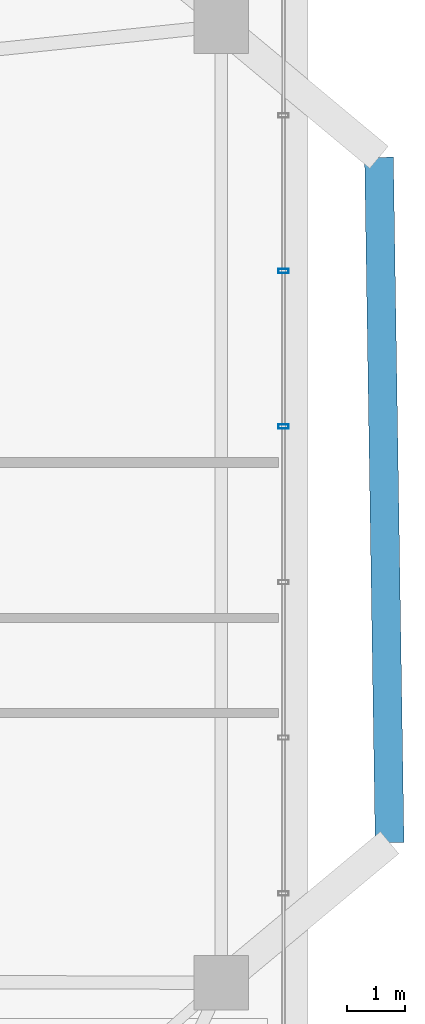
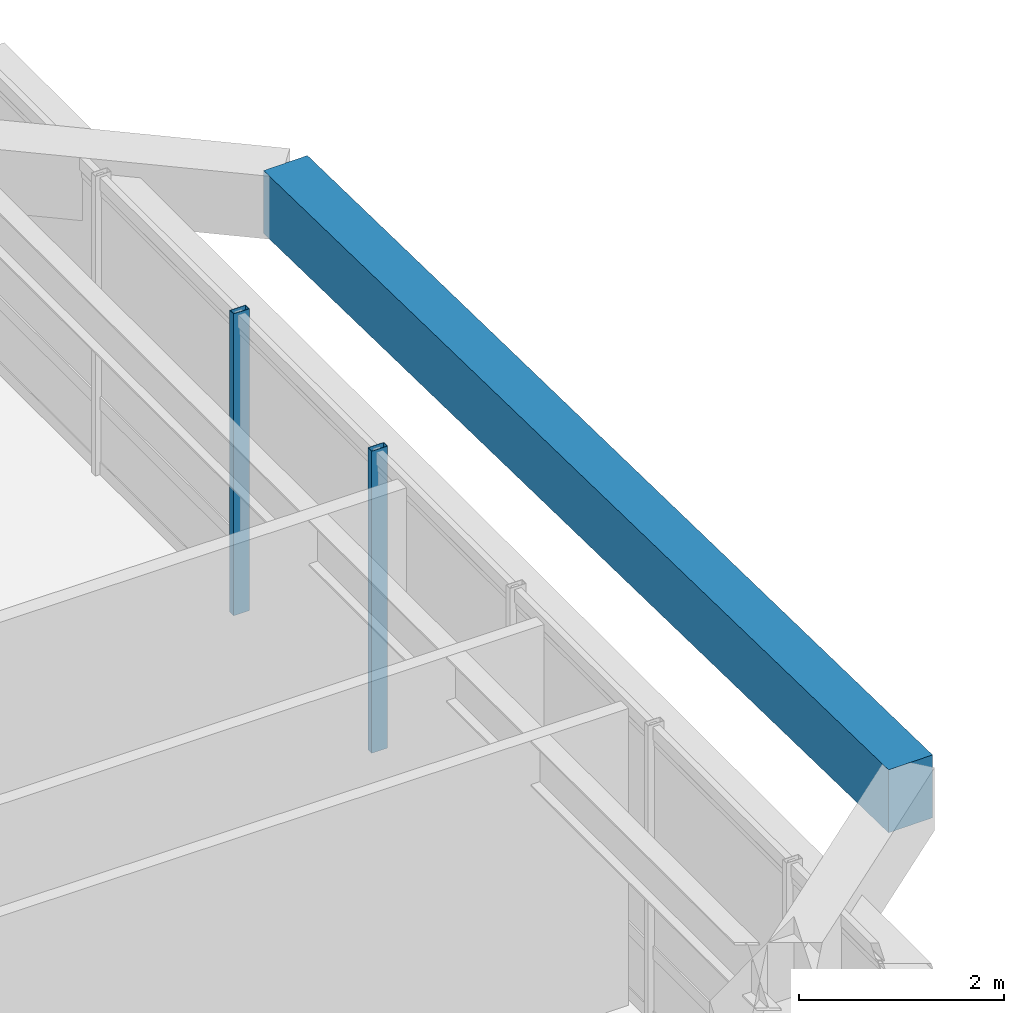
# One storey, part 4 of 14: 2 members, 1 beam, 1 element without a shape of its own.
"""IFC4 building model written with IfcOpenShell, lengths in metres."""

import ifcopenshell
import ifcopenshell.guid

model = None  # the IFC model being written
_history = None  # IfcOwnerHistory: only IFC2X3 demands one
_inside = {}  # id of a spatial element -> (the spatial element, [elements in it])
_under = {}  # id of a project, library or spatial element -> (it, [spatial elements below it])
_declared = {}  # id of a project -> (the project, [libraries it declares])
_typed = {}  # id of a type object -> (the type object, [elements of that type])
_made_of = {}  # id of a material, layer set ... -> (it, [elements and type objects made of it])


def new_model(schema):
    """Start an empty IFC model of exactly this schema.

    Asked for "IFC4X3", IfcOpenShell would pick the latest addendum, in which some entities
    have other attributes; the version numbers below select the first issue.
    IFC2X3 requires an IfcOwnerHistory on every rooted entity: one is made here for all.
    """
    global model, _history
    if schema == "IFC4X3":
        model = ifcopenshell.file(schema_version=(4, 3, 0, 0))
    else:
        model = ifcopenshell.file(schema=schema)
    _inside.clear()
    _under.clear()
    _declared.clear()
    _typed.clear()
    _made_of.clear()
    _history = None
    if model.schema == "IFC2X3":
        org = make("IfcOrganization", Name="unknown")
        user = make(
            "IfcPersonAndOrganization",
            ThePerson=make("IfcPerson", FamilyName="unknown"),
            TheOrganization=org,
        )
        app = make(
            "IfcApplication",
            ApplicationDeveloper=org,
            Version="unknown",
            ApplicationFullName="unknown",
            ApplicationIdentifier="unknown",
        )
        _history = make(
            "IfcOwnerHistory",
            OwningUser=user,
            OwningApplication=app,
            ChangeAction="ADDED",
            CreationDate=0,
        )
    return model


def make(cls, **values):
    """One entity of the class cls with the attributes given. An attribute that is None is left unset."""
    return model.create_entity(
        cls, **{name: value for name, value in values.items() if value is not None}
    )


def rooted(cls, **values):
    """An entity with a GlobalId (a new one), such as an element, a storey or a relation."""
    return make(cls, GlobalId=ifcopenshell.guid.new(), OwnerHistory=_history, **values)


def si_unit(unit_type, name, prefix=None):
    """IfcSIUnit, for example si_unit("LENGTHUNIT", "METRE", prefix="MILLI")."""
    return make("IfcSIUnit", UnitType=unit_type, Prefix=prefix, Name=name)


def assignment(units):
    """IfcUnitAssignment: the units of a project."""
    return None if units is None else make("IfcUnitAssignment", Units=units)


def point(xyz):
    """IfcCartesianPoint."""
    return None if xyz is None else make("IfcCartesianPoint", Coordinates=xyz)


def direction(xyz):
    """IfcDirection."""
    return None if xyz is None else make("IfcDirection", DirectionRatios=xyz)


def frame(location, z_axis=None, x_axis=None):
    """IfcAxis2Placement3D, a coordinate frame: its origin and axes. An axis left out is left unset."""
    return make(
        "IfcAxis2Placement3D",
        Location=point(location),
        Axis=direction(z_axis),
        RefDirection=direction(x_axis),
    )


def frame_2d(location, x_axis=None):
    """IfcAxis2Placement2D, a coordinate frame in the plane: its origin and x axis."""
    return make(
        "IfcAxis2Placement2D", Location=point(location), RefDirection=direction(x_axis)
    )


def origin():
    """The frame at (0, 0, 0) with its axes left unset."""
    return frame((0.0, 0.0, 0.0))


def origin_2d():
    """The frame at (0, 0) in the plane with its x axis left unset."""
    return frame_2d((0.0, 0.0))


def place(relative_to, where):
    """IfcLocalPlacement: puts the frame where relative to a parent placement (None: the world)."""
    return make(
        "IfcLocalPlacement", PlacementRelTo=relative_to, RelativePlacement=where
    )


def context(
    kind, dimensions, precision=None, world=None, true_north=None, identifier=None
):
    """IfcGeometricRepresentationContext, for example the 3D "Model" context."""
    return make(
        "IfcGeometricRepresentationContext",
        ContextIdentifier=identifier,
        ContextType=kind,
        CoordinateSpaceDimension=dimensions,
        Precision=precision,
        WorldCoordinateSystem=world,
        TrueNorth=true_north,
    )


def subcontext(parent, identifier, kind, view, scale=None):
    """IfcGeometricRepresentationSubContext, for example "Body" below "Model"."""
    return make(
        "IfcGeometricRepresentationSubContext",
        ContextIdentifier=identifier,
        ContextType=kind,
        ParentContext=parent,
        TargetScale=scale,
        TargetView=view,
    )


def project(units=None, contexts=None):
    """IfcProject with its units and contexts."""
    return rooted(
        "IfcProject",
        Name="project",
        RepresentationContexts=contexts,
        UnitsInContext=assignment(units),
    )


def spatial(cls, under=None, at=None, **own):
    """A site, building, storey or space (cls), placed at a placement, below another one or the project."""
    s = rooted(cls, ObjectPlacement=at, **own)
    if under is not None:
        _under.setdefault(under.id(), (under, []))[1].append(s)
    return s


def profile(cls, at=None, kind="AREA", **sizes):
    """A parametric profile (cls). Its sizes go by their IFC names, for example OverallWidth=200.0."""
    return make(cls, ProfileType=kind, Position=at, **sizes)


def rectangle(**sizes):
    """IfcRectangleProfileDef."""
    return profile("IfcRectangleProfileDef", **sizes)


def hollow_rectangle(**sizes):
    """IfcRectangleHollowProfileDef."""
    return profile("IfcRectangleHollowProfileDef", **sizes)


def extrude(swept, where, along, depth):
    """IfcExtrudedAreaSolid: the profile swept, set in the frame where, extruded along a direction by depth."""
    return make(
        "IfcExtrudedAreaSolid",
        SweptArea=swept,
        Position=where,
        ExtrudedDirection=direction(along),
        Depth=depth,
    )


def shape(context_of_items, identifier, shape_type, items):
    """IfcShapeRepresentation: the items that make up one representation, for example the "Body"."""
    return make(
        "IfcShapeRepresentation",
        ContextOfItems=context_of_items,
        RepresentationIdentifier=identifier,
        RepresentationType=shape_type,
        Items=items,
    )


def material(Name=None, Category=None):
    """IfcMaterial."""
    return make("IfcMaterial", Name=Name, Category=Category)


def material_profile(
    of_material, cross_section, Name=None, Category=None, Priority=None
):
    """IfcMaterialProfile: a cross section and its material."""
    return make(
        "IfcMaterialProfile",
        Name=Name,
        Material=of_material,
        Profile=cross_section,
        Priority=Priority,
        Category=Category,
    )


def profile_set(profiles, Name=None, composite=None):
    """IfcMaterialProfileSet."""
    return make(
        "IfcMaterialProfileSet",
        Name=Name,
        MaterialProfiles=profiles,
        CompositeProfile=composite,
    )


def made_of(thing, what):
    """Note that an element or type object is made of a material, layer set ...; save() writes the relation."""
    if what is not None:
        _made_of.setdefault(what.id(), (what, []))[1].append(thing)
    return thing


def type_object(cls, material=None, **own):
    """A type object (cls), such as IfcWallType, which elements share."""
    return made_of(rooted(cls, **own), material)


def element(
    cls,
    number,
    at=None,
    inside=None,
    cuts=None,
    type_object=None,
    material=None,
    context=None,
    identifier="Body",
    shape_type=None,
    held_by="IfcProductDefinitionShape",
    body=None,
    shapes=None,
    **own,
):
    """One element of the class cls, such as IfcWall. Its Tag is "e" and its number.

    at: its placement. inside: the storey or other place that contains it. cuts: it is an
    opening in that element (IfcRelVoidsElement). A single representation is given by context,
    identifier, shape_type and body (its items); several are given by shapes. held_by: the class
    of the entity that holds the representations. save() writes the other relations.
    """
    e = rooted(cls, Tag="e%d" % number, ObjectPlacement=at, **own)
    if body is not None:
        shapes = [shape(context, identifier, shape_type, body)]
    if shapes is not None:
        e.Representation = make(held_by, Representations=shapes)
    if inside is not None:
        _inside.setdefault(inside.id(), (inside, []))[1].append(e)
    if cuts is not None:
        rooted(
            "IfcRelVoidsElement", RelatingBuildingElement=cuts, RelatedOpeningElement=e
        )
    if type_object is not None:
        _typed.setdefault(type_object.id(), (type_object, []))[1].append(e)
    return made_of(e, material)


def aggregate(whole, parts):
    """IfcRelAggregates: a whole, such as a stair, and the parts it consists of."""
    return rooted("IfcRelAggregates", RelatingObject=whole, RelatedObjects=parts)


def save(model, path):
    """Write the relations noted so far, then the file.

    IfcRelAggregates (storeys below a building ...), IfcRelContainedInSpatialStructure (elements
    in a storey), IfcRelDefinesByType, IfcRelAssociatesMaterial and IfcRelDeclares: one each for
    every whole, place, type object, material and project.
    """
    for whole, parts in _under.values():
        aggregate(whole, parts)
    for where, things in _inside.values():
        rooted(
            "IfcRelContainedInSpatialStructure",
            RelatedElements=things,
            RelatingStructure=where,
        )
    for kind, things in _typed.values():
        rooted("IfcRelDefinesByType", RelatedObjects=things, RelatingType=kind)
    for what, things in _made_of.values():
        rooted("IfcRelAssociatesMaterial", RelatedObjects=things, RelatingMaterial=what)
    for by, libraries in _declared.values():
        rooted("IfcRelDeclares", RelatingContext=by, RelatedDefinitions=libraries)
    model.write(path)


model = new_model("IFC4")

# Units and contexts
model_context = context("Model", 3, precision=1e-05, world=origin(), true_north=direction((0.0, 1.0)))
body_context = subcontext(model_context, "Body", "Model", "MODEL_VIEW")
ifc_project = project(units=[si_unit("LENGTHUNIT", "METRE"), si_unit("AREAUNIT", "SQUARE_METRE"), si_unit("VOLUMEUNIT", "CUBIC_METRE"), si_unit("PLANEANGLEUNIT", "RADIAN"), si_unit("MASSUNIT", "GRAM", prefix="KILO")], contexts=[model_context])

# Site, building, storey
site_placement = place(None, origin())
site = spatial("IfcSite", under=ifc_project, at=site_placement, CompositionType="ELEMENT")
building_placement = place(site_placement, origin())
building = spatial("IfcBuilding", under=site, at=building_placement, Name="Zulverin Broadcast Headquarters", CompositionType="ELEMENT")
storey_placement = place(building_placement, frame((0.0, 0.0, 178.199951171875)))
storey = spatial("IfcBuildingStorey", under=building, at=storey_placement, Name="L45", CompositionType="ELEMENT", Elevation=178.199951171875)

# Beam
ifc_material_1 = material(Name="Concrete C40/50", Category="concrete")
ifc_material_profile_1 = material_profile(ifc_material_1, rectangle(XDim=0.5, YDim=0.75, at=origin_2d()), Name="Concrete C40/50", Category="concrete")
ifc_profile_set_1 = profile_set([ifc_material_profile_1], Name="Concrete C40/50")
beam_type = type_object("IfcBeamType", Name="BM-RC-500x750", PredefinedType="BEAM", material=ifc_profile_set_1)
beam_placement = place(storey_placement, frame((63.52001953125, 19.951171875, 3.1650390625), z_axis=(-0.015457308466, 0.999880528671, 0.0), x_axis=(-0.999880528671, -0.015457308466, 0.0)))
element("IfcBeam", 1, at=beam_placement, inside=storey, type_object=beam_type, Name="L46 Balcony Outer Edge Trimmer Beam BAL_E", PredefinedType="BEAM", context=body_context, shape_type="SweptSolid", body=[
    extrude(rectangle(XDim=0.5, YDim=0.75, at=origin_2d()), origin(), (0.0, 0.0, 1.0), 11.893310546875),
])

# Curtain wall, members
ifc_material_2 = material(Name="Waist wind-pressure unitised curtain wall", Category="aluminium")
curtain_wall_type = type_object("IfcCurtainWallType", Name="CW-TWR-WST", PredefinedType="USERDEFINED", material=ifc_material_2)
curtain_wall_placement = place(storey_placement, origin())
curtain_wall = element("IfcCurtainWall", 2, at=curtain_wall_placement, inside=storey, type_object=curtain_wall_type, Name="L45 Unitised Curtain Wall CW-L45-E3", ObjectType="UNITISED CURTAIN WALL", PredefinedType="USERDEFINED")
ifc_material_3 = material(Name="Anodized pale-metal aluminium alloy 6063-T6", Category="aluminium")
ifc_material_profile_2 = material_profile(ifc_material_3, hollow_rectangle(XDim=0.074951171875, YDim=0.179931640625, WallThickness=0.0048828125, at=origin_2d()), Name="Anodized pale-metal aluminium alloy 6063-T6", Category="aluminium")
ifc_profile_set_2 = profile_set([ifc_material_profile_2], Name="Anodized pale-metal aluminium alloy 6063-T6")
member_type = type_object("IfcMemberType", Name="CW-MUL-180", PredefinedType="MULLION", material=ifc_profile_set_2)
member_1_placement = place(storey_placement, frame((61.679931640625, 27.170654296875, -0.030029296875), z_axis=(0.0, 0.0, 1.0), x_axis=(0.0, 1.0, 0.0)))
member_1 = element("IfcMember", 3, at=member_1_placement, type_object=member_type, Name="CW-L45-E3 Mullion 04", PredefinedType="MULLION", context=body_context, shape_type="SweptSolid", body=[
    extrude(hollow_rectangle(XDim=0.074951171875, YDim=0.179931640625, WallThickness=0.0048828125, at=origin_2d()), origin(), (0.0, 0.0, 1.0), 3.60009765625),
])
member_2_placement = place(storey_placement, frame((61.679931640625, 29.870849609375, -0.030029296875), z_axis=(0.0, 0.0, 1.0), x_axis=(0.0, 1.0, 0.0)))
member_2 = element("IfcMember", 4, at=member_2_placement, type_object=member_type, Name="CW-L45-E3 Mullion 05", PredefinedType="MULLION", context=body_context, shape_type="SweptSolid", body=[
    extrude(hollow_rectangle(XDim=0.074951171875, YDim=0.179931640625, WallThickness=0.0048828125, at=origin_2d()), origin(), (0.0, 0.0, 1.0), 3.60009765625),
])
aggregate(curtain_wall, [member_1, member_2])

save(model, "model.ifc")
